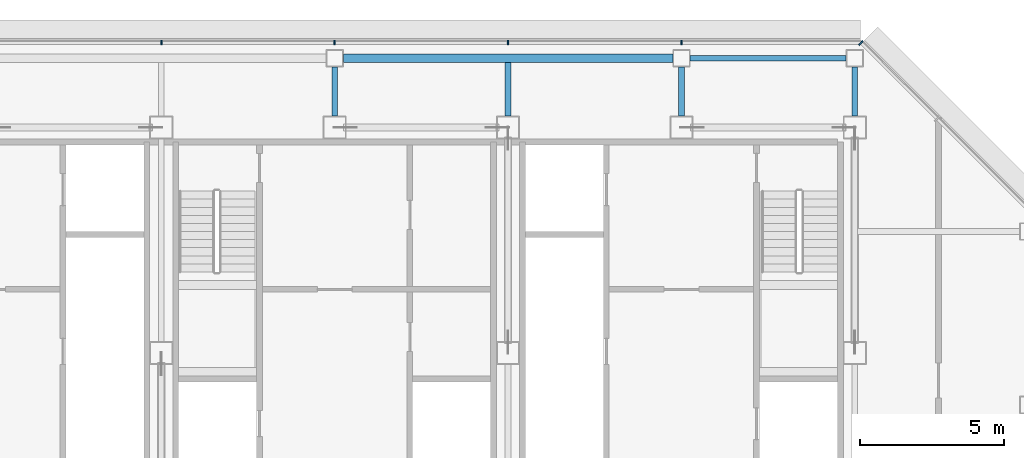
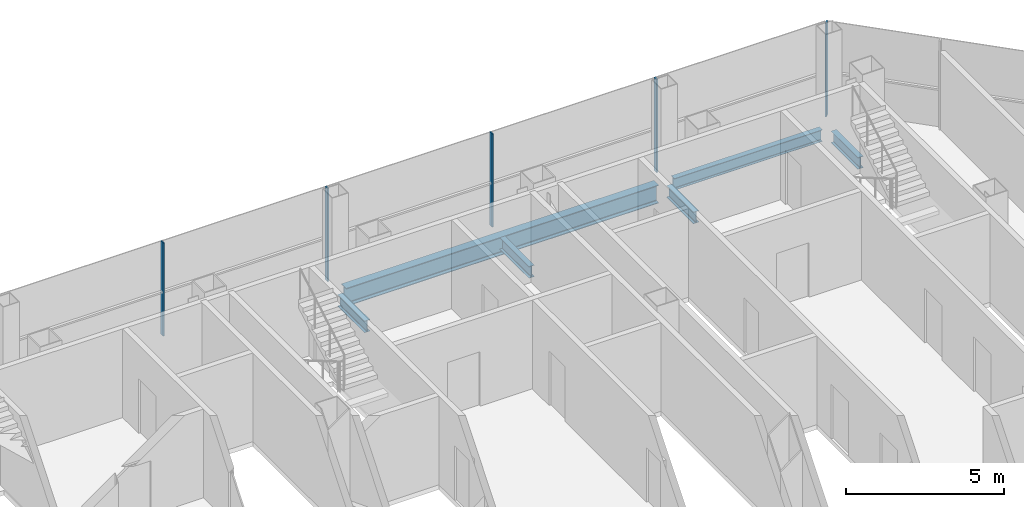
# One storey, part 15 of 27: 6 beams, 5 members, 2 elements without a shape of their own.
"""IFC4 building model written with IfcOpenShell, lengths in metres."""

from ifc_helpers import new_model, si_unit, direction, frame, origin, origin_2d, place, context, subcontext, project, spatial, rectangle, i_section, extrude, material, material_profile, profile_set, type_object, element, aggregate, save


model = new_model("IFC4")

# Units and contexts
model_context = context("Model", 3, precision=1e-05, world=origin(), true_north=direction((0.0, 1.0)))
body_context = subcontext(model_context, "Body", "Model", "MODEL_VIEW")
ifc_project = project(units=[si_unit("LENGTHUNIT", "METRE"), si_unit("AREAUNIT", "SQUARE_METRE"), si_unit("VOLUMEUNIT", "CUBIC_METRE"), si_unit("PLANEANGLEUNIT", "RADIAN"), si_unit("MASSUNIT", "GRAM", prefix="KILO")], contexts=[model_context])

# Site, building, storey
site_placement = place(None, origin())
site = spatial("IfcSite", under=ifc_project, at=site_placement, CompositionType="ELEMENT")
building_placement = place(site_placement, origin())
building = spatial("IfcBuilding", under=site, at=building_placement, Name="Sorahane Residences", CompositionType="ELEMENT")
storey_placement = place(building_placement, frame((0.0, 0.0, 298.0)))
storey = spatial("IfcBuildingStorey", under=building, at=storey_placement, Name="L70", CompositionType="ELEMENT", Elevation=298.0)

# Curtain wall, members
ifc_material_1 = material(Name="Dark low-e glass and black anodised aluminium", Category="aluminium")
curtain_wall_type_1 = type_object("IfcCurtainWallType", Name="Curtain wall CW-1 Typical unitised wall", PredefinedType="NOTDEFINED", material=ifc_material_1)
curtain_wall_1_placement = place(storey_placement, origin())
curtain_wall_1 = element("IfcCurtainWall", 1, at=curtain_wall_1_placement, inside=storey, type_object=curtain_wall_type_1, Name="CW-1 curtain wall L70 N1", PredefinedType="NOTDEFINED")
ifc_material_2 = material(Name="Black anodised aluminium", Category="aluminium")
ifc_material_profile_1 = material_profile(ifc_material_2, rectangle(XDim=0.159912109375, YDim=0.050048828125, at=origin_2d()), Name="Curtain wall mullion CW-1 black anodised aluminium 50x160")
ifc_profile_set_1 = profile_set([ifc_material_profile_1], Name="Black anodised aluminium")
member_type_1 = type_object("IfcMemberType", Name="Curtain wall mullion CW-1 black anodised aluminium 50x160", PredefinedType="MULLION", material=ifc_profile_set_1)
member_1_placement = place(storey_placement, frame((36.0, 48.5400390625, -0.179931640625), z_axis=(0.0, 0.0, 1.0), x_axis=(0.0, 1.0, 0.0)))
member_1 = element("IfcMember", 2, at=member_1_placement, type_object=member_type_1, Name="CW-1 mullion L70 N1.2", PredefinedType="MULLION", context=body_context, shape_type="SweptSolid", body=[
    extrude(rectangle(XDim=0.159912109375, YDim=0.050048828125, at=origin_2d()), origin(), (0.0, 0.0, 1.0), 3.599853515625),
])
member_2_placement = place(storey_placement, frame((30.0, 48.5400390625, -0.179931640625), z_axis=(0.0, 0.0, 1.0), x_axis=(0.0, 1.0, 0.0)))
member_2 = element("IfcMember", 3, at=member_2_placement, type_object=member_type_1, Name="CW-1 mullion L70 N1.3", PredefinedType="MULLION", context=body_context, shape_type="SweptSolid", body=[
    extrude(rectangle(XDim=0.159912109375, YDim=0.050048828125, at=origin_2d()), origin(), (0.0, 0.0, 1.0), 3.599853515625),
])
member_3_placement = place(storey_placement, frame((24.0, 48.5400390625, -0.179931640625), z_axis=(0.0, 0.0, 1.0), x_axis=(0.0, 1.0, 0.0)))
member_3 = element("IfcMember", 4, at=member_3_placement, type_object=member_type_1, Name="CW-1 mullion L70 N1.4", PredefinedType="MULLION", context=body_context, shape_type="SweptSolid", body=[
    extrude(rectangle(XDim=0.159912109375, YDim=0.050048828125, at=origin_2d()), origin(), (0.0, 0.0, 1.0), 3.599853515625),
])
member_4_placement = place(storey_placement, frame((18.0, 48.5400390625, -0.179931640625), z_axis=(0.0, 0.0, 1.0), x_axis=(0.0, 1.0, 0.0)))
member_4 = element("IfcMember", 5, at=member_4_placement, type_object=member_type_1, Name="CW-1 mullion L70 N1.5", PredefinedType="MULLION", context=body_context, shape_type="SweptSolid", body=[
    extrude(rectangle(XDim=0.159912109375, YDim=0.050048828125, at=origin_2d()), origin(), (0.0, 0.0, 1.0), 3.599853515625),
])
aggregate(curtain_wall_1, [member_1, member_2, member_3, member_4])

# Curtain wall, member
ifc_material_3 = material(Name="Dark low-e glass and black anodised aluminium", Category="aluminium")
curtain_wall_type_2 = type_object("IfcCurtainWallType", Name="Curtain wall CW-2 Chamfer unitised wall", PredefinedType="NOTDEFINED", material=ifc_material_3)
curtain_wall_2_placement = place(storey_placement, origin())
curtain_wall_2 = element("IfcCurtainWall", 6, at=curtain_wall_2_placement, inside=storey, type_object=curtain_wall_type_2, Name="CW-2 curtain wall L70 NE1", PredefinedType="NOTDEFINED")
ifc_material_4 = material(Name="Black anodised aluminium", Category="aluminium")
ifc_material_profile_2 = material_profile(ifc_material_4, rectangle(XDim=0.199951171875, YDim=0.050048828125, at=origin_2d()), Name="Curtain wall mullion CW-2 black anodised aluminium 50x200")
ifc_profile_set_2 = profile_set([ifc_material_profile_2], Name="Black anodised aluminium")
member_type_2 = type_object("IfcMemberType", Name="Curtain wall mullion CW-2 black anodised aluminium 50x200", PredefinedType="MULLION", material=ifc_profile_set_2)
member_5_placement = place(storey_placement, frame((42.209716796875, 48.525634765625, -0.179931640625), z_axis=(0.0, 0.0, 1.0), x_axis=(0.707106781187, 0.707106781187, 0.0)))
member_5 = element("IfcMember", 7, at=member_5_placement, type_object=member_type_2, Name="CW-2 mullion L70 NE1.3", PredefinedType="MULLION", context=body_context, shape_type="SweptSolid", body=[
    extrude(rectangle(XDim=0.199951171875, YDim=0.050048828125, at=origin_2d()), origin(), (0.0, 0.0, 1.0), 3.599853515625),
])
aggregate(curtain_wall_2, [member_5])

# Beams
ifc_material_5 = material(Name="Steel Q355B", Category="steel")
ifc_material_profile_3 = material_profile(ifc_material_5, i_section(OverallWidth=0.199951171875, OverallDepth=0.449951171875, WebThickness=0.009033203125, FlangeThickness=0.013916015625, FilletRadius=0.02001953125, at=origin_2d()), Name="HN 450x200x9x14")
ifc_profile_set_3 = profile_set([ifc_material_profile_3], Name="Steel Q355B")
beam_type_1 = type_object("IfcBeamType", Name="Steel floor beam HN 450x200x9x14 Q355B", PredefinedType="BEAM", material=ifc_profile_set_3)
beam_1_placement = place(storey_placement, frame((36.300048828125, 48.0, -0.405029296875), z_axis=(1.0, 0.0, 0.0), x_axis=(0.0, 1.0, 0.0)))
element("IfcBeam", 8, at=beam_1_placement, inside=storey, type_object=beam_type_1, Name="Beam L70 019", PredefinedType="BEAM", context=body_context, shape_type="SweptSolid", body=[
    extrude(i_section(OverallWidth=0.199951171875, OverallDepth=0.449951171875, WebThickness=0.009033203125, FlangeThickness=0.013916015625, FilletRadius=0.02001953125, at=origin_2d()), origin(), (0.0, 0.0, 1.0), 5.39990234375),
])
beam_2_placement = place(storey_placement, frame((24.0, 46.0, -0.405029296875), z_axis=(0.0, 1.0, 0.0), x_axis=(-1.0, 0.0, 0.0)))
element("IfcBeam", 9, at=beam_2_placement, inside=storey, type_object=beam_type_1, Name="Beam L70 045", PredefinedType="BEAM", context=body_context, shape_type="SweptSolid", body=[
    extrude(i_section(OverallWidth=0.199951171875, OverallDepth=0.449951171875, WebThickness=0.009033203125, FlangeThickness=0.013916015625, FilletRadius=0.02001953125, at=origin_2d()), origin(), (0.0, 0.0, 1.0), 1.699951171875),
])
beam_3_placement = place(storey_placement, frame((30.0, 46.0, -0.405029296875), z_axis=(0.0, 1.0, 0.0), x_axis=(-1.0, 0.0, 0.0)))
element("IfcBeam", 10, at=beam_3_placement, inside=storey, type_object=beam_type_1, Name="Beam L70 051", PredefinedType="BEAM", context=body_context, shape_type="SweptSolid", body=[
    extrude(i_section(OverallWidth=0.199951171875, OverallDepth=0.449951171875, WebThickness=0.009033203125, FlangeThickness=0.013916015625, FilletRadius=0.02001953125, at=origin_2d()), origin(), (0.0, 0.0, 1.0), 1.85009765625),
])
for number, where, z_axis, x_axis, name in (
    (11, (36.0, 46.0, -0.405029296875), (0.0, 1.0, 0.0), (-1.0, 0.0, 0.0), "Beam L70 053"),
    (12, (42.0, 46.0, -0.405029296875), (0.0, 1.0, 0.0), (-1.0, 0.0, 0.0), "Beam L70 059"),
):
    element("IfcBeam", number, at=place(storey_placement, frame(where, z_axis=z_axis, x_axis=x_axis)), inside=storey, type_object=beam_type_1, Name=name, PredefinedType="BEAM", context=body_context, shape_type="SweptSolid", body=[
        extrude(i_section(OverallWidth=0.199951171875, OverallDepth=0.449951171875, WebThickness=0.009033203125, FlangeThickness=0.013916015625, FilletRadius=0.02001953125, at=origin_2d()), origin(), (0.0, 0.0, 1.0), 1.699951171875),
    ])
ifc_material_6 = material(Name="Steel Q355B", Category="steel")
ifc_material_profile_4 = material_profile(ifc_material_6, i_section(OverallWidth=0.300048828125, OverallDepth=0.699951171875, WebThickness=0.012939453125, FlangeThickness=0.02392578125, FilletRadius=0.028076171875, at=origin_2d()), Name="HN 700x300x13x24")
ifc_profile_set_4 = profile_set([ifc_material_profile_4], Name="Steel Q355B")
beam_type_2 = type_object("IfcBeamType", Name="Steel floor beam HN 700x300x13x24 Q355B", PredefinedType="BEAM", material=ifc_profile_set_4)
beam_4_placement = place(storey_placement, frame((24.300048828125, 48.0, -0.530029296875), z_axis=(1.0, 0.0, 0.0), x_axis=(0.0, 1.0, 0.0)))
element("IfcBeam", 13, at=beam_4_placement, inside=storey, type_object=beam_type_2, Name="Beam L70 018", PredefinedType="BEAM", context=body_context, shape_type="SweptSolid", body=[
    extrude(i_section(OverallWidth=0.300048828125, OverallDepth=0.699951171875, WebThickness=0.012939453125, FlangeThickness=0.02392578125, FilletRadius=0.028076171875, at=origin_2d()), origin(), (0.0, 0.0, 1.0), 11.39990234375),
])

save(model, "model.ifc")
